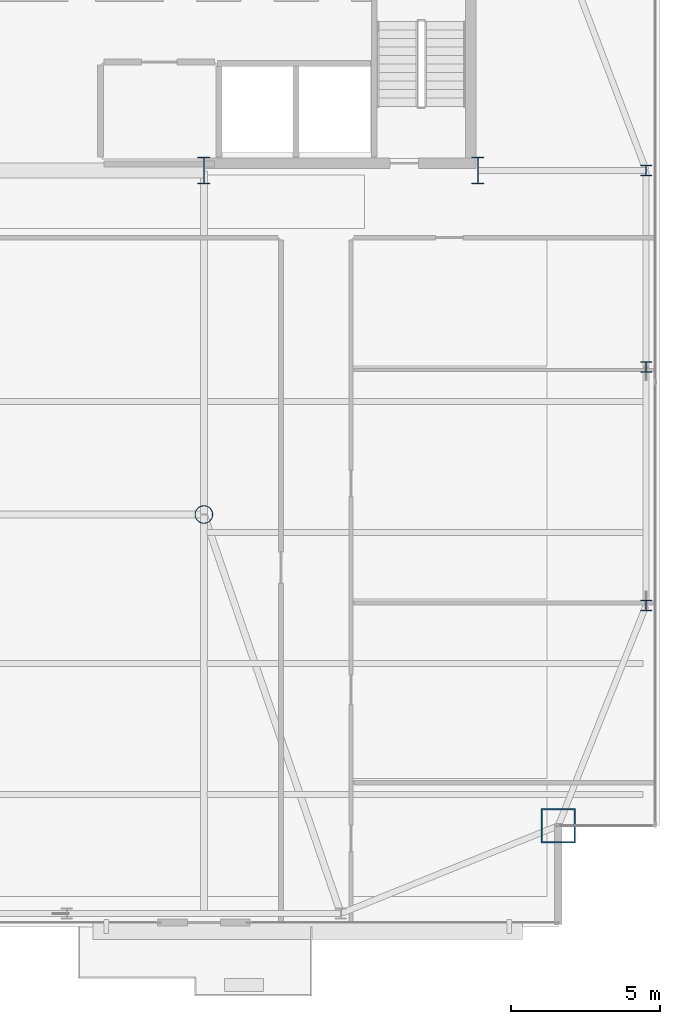
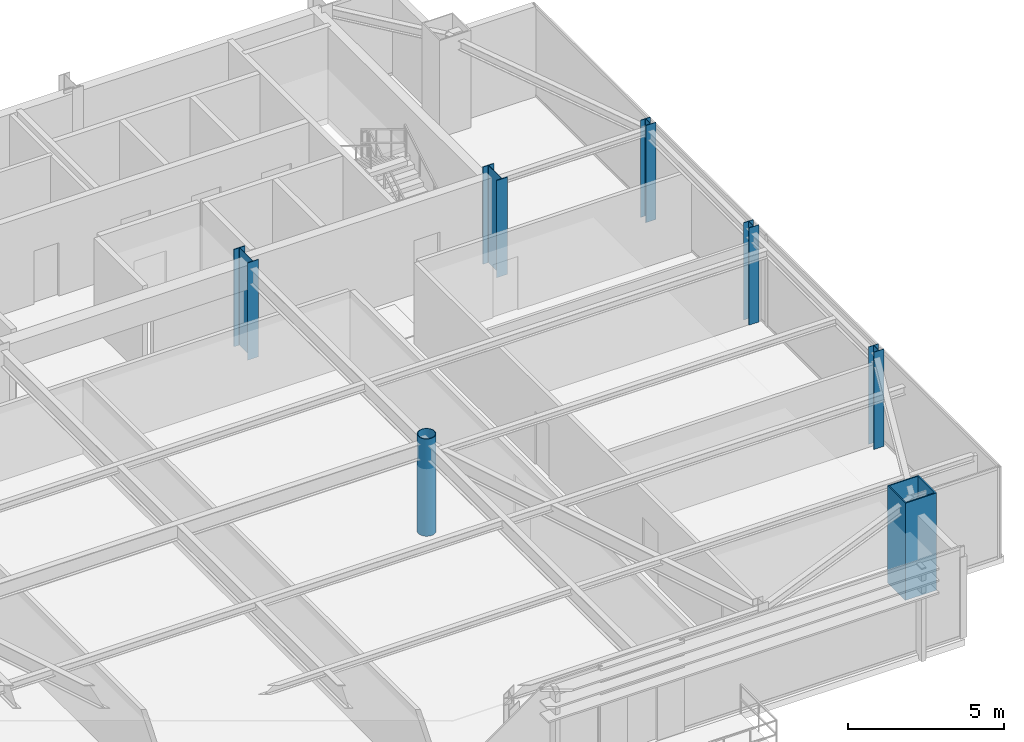
# One storey, part 2 of 30: 7 columns.
"""IFC4 building model written with IfcOpenShell, lengths in metres."""

from ifc_helpers import new_model, si_unit, direction, frame, origin, origin_2d, place, context, subcontext, project, spatial, hollow_rectangle, hollow_circle, i_section, extrude, source, transform, mapped, material, material_profile, profile_set, type_object, type_shapes, element, save


model = new_model("IFC4")

# Units and contexts
model_context = context("Model", 3, precision=1e-05, world=origin(), true_north=direction((0.0, 1.0)))
body_context = subcontext(model_context, "Body", "Model", "MODEL_VIEW")
ifc_project = project(units=[si_unit("LENGTHUNIT", "METRE"), si_unit("AREAUNIT", "SQUARE_METRE"), si_unit("VOLUMEUNIT", "CUBIC_METRE"), si_unit("PLANEANGLEUNIT", "RADIAN"), si_unit("MASSUNIT", "GRAM", prefix="KILO")], contexts=[model_context])

# Site, building, storey
site_placement = place(None, origin())
site = spatial("IfcSite", under=ifc_project, at=site_placement, CompositionType="ELEMENT")
building_placement = place(site_placement, origin())
building = spatial("IfcBuilding", under=site, at=building_placement, Name="Varnel Quay Broadcast Tower", CompositionType="ELEMENT")
storey_placement = place(building_placement, frame((0.0, 0.0, 211.199951171875)))
storey = spatial("IfcBuildingStorey", under=building, at=storey_placement, Name="L52", CompositionType="ELEMENT", Elevation=211.199951171875)

# Columns
ifc_material_1 = material(Name="Structural Steel CSA G40.21 350WT", Category="steel")
ifc_material_profile_1 = material_profile(ifc_material_1, i_section(OverallWidth=0.39990234375, OverallDepth=0.89990234375, WebThickness=0.01611328125, FlangeThickness=0.028076171875, FilletRadius=0.01611328125, at=origin_2d()), Name="WWF900X309")
ifc_profile_set_1 = profile_set([ifc_material_profile_1], Name="Structural Steel CSA G40.21 350WT")
column_type_1 = type_object("IfcColumnType", Name="Col_WWF900X309", PredefinedType="COLUMN", material=ifc_profile_set_1)
shared_shape_1 = source(origin(), body_context, "Body", "SweptSolid", [
    extrude(i_section(OverallWidth=0.39990234375, OverallDepth=0.89990234375, WebThickness=0.01611328125, FlangeThickness=0.028076171875, FilletRadius=0.01611328125, at=origin_2d()), origin(), (0.0, 0.0, 1.0), 3.800048828125),
])
type_shapes(column_type_1, [shared_shape_1])
for number, where, z_axis, x_axis, name in (
    (1, (43.199951171875, 35.60009765625, 0.0), (0.0, 0.0, 1.0), (1.0, 0.0, 0.0), "L52 Column CC-S4"),
    (2, (52.39990234375, 35.60009765625, 0.0), (0.0, 0.0, 1.0), (1.0, 0.0, 0.0), "L52 Column CC-S5"),
):
    element("IfcColumn", number, at=place(storey_placement, frame(where, z_axis=z_axis, x_axis=x_axis)), inside=storey, type_object=column_type_1, Name=name, PredefinedType="COLUMN", context=body_context, shape_type="MappedRepresentation", body=[
        mapped(shared_shape_1, transform((0.0, 0.0, 0.0), x_axis=(1.0, 0.0, 0.0), y_axis=(0.0, 1.0, 0.0), z_axis=(0.0, 0.0, 1.0), scale=1.0)),
    ])
ifc_material_profile_2 = material_profile(ifc_material_1, hollow_rectangle(XDim=1.14990234375, YDim=1.14990234375, WallThickness=0.044921875, at=origin_2d()), Name="BOX1150X1150X45")
ifc_profile_set_2 = profile_set([ifc_material_profile_2], Name="Structural Steel CSA G40.21 350WT")
column_type_2 = type_object("IfcColumnType", Name="Col_BOX1150X1150X45", PredefinedType="COLUMN", material=ifc_profile_set_2)
shared_shape_2 = source(origin(), body_context, "Body", "SweptSolid", [
    extrude(hollow_rectangle(XDim=1.14990234375, YDim=1.14990234375, WallThickness=0.044921875, at=origin_2d()), origin(), (0.0, 0.0, 1.0), 3.800048828125),
])
type_shapes(column_type_2, [shared_shape_2])
column_1_placement = place(storey_placement, frame((55.10009765625, 13.60009765625, 0.0), z_axis=(0.0, 0.0, 1.0), x_axis=(1.0, 0.0, 0.0)))
element("IfcColumn", 3, at=column_1_placement, inside=storey, type_object=column_type_2, Name="L52 Column MC-SE", PredefinedType="COLUMN", context=body_context, shape_type="MappedRepresentation", body=[
    mapped(shared_shape_2, transform((0.0, 0.0, 0.0), x_axis=(1.0, 0.0, 0.0), y_axis=(0.0, 1.0, 0.0), z_axis=(0.0, 0.0, 1.0), scale=1.0)),
])
ifc_material_2 = material(Name="Structural Steel CSA G40.21 350W", Category="steel")
ifc_material_profile_3 = material_profile(ifc_material_2, i_section(OverallWidth=0.368896484375, OverallDepth=0.35595703125, WebThickness=0.01123046875, FlangeThickness=0.01806640625, FilletRadius=0.01611328125, at=origin_2d()), Name="W360X134")
ifc_profile_set_3 = profile_set([ifc_material_profile_3], Name="Structural Steel CSA G40.21 350W")
column_type_3 = type_object("IfcColumnType", Name="Col_W360X134", PredefinedType="COLUMN", material=ifc_profile_set_3)
shared_shape_3 = source(origin(), body_context, "Body", "SweptSolid", [
    extrude(i_section(OverallWidth=0.368896484375, OverallDepth=0.35595703125, WebThickness=0.01123046875, FlangeThickness=0.01806640625, FilletRadius=0.01611328125, at=origin_2d()), origin(), (0.0, 0.0, 1.0), 3.800048828125),
])
type_shapes(column_type_3, [shared_shape_3])
for number, where, z_axis, x_axis, name in (
    (4, (58.050048828125, 21.0, 0.0), (0.0, 0.0, 1.0), (1.0, 0.0, 0.0), "L52 Column TC-E1"),
    (5, (58.050048828125, 29.0, 0.0), (0.0, 0.0, 1.0), (1.0, 0.0, 0.0), "L52 Column TC-E2"),
    (6, (58.050048828125, 35.60009765625, 0.0), (0.0, 0.0, 1.0), (1.0, 0.0, 0.0), "L52 Column TC-E3"),
):
    element("IfcColumn", number, at=place(storey_placement, frame(where, z_axis=z_axis, x_axis=x_axis)), inside=storey, type_object=column_type_3, Name=name, PredefinedType="COLUMN", context=body_context, shape_type="MappedRepresentation", body=[
        mapped(shared_shape_3, transform((0.0, 0.0, 0.0), x_axis=(1.0, 0.0, 0.0), y_axis=(0.0, 1.0, 0.0), z_axis=(0.0, 0.0, 1.0), scale=1.0)),
    ])
ifc_material_profile_4 = material_profile(ifc_material_2, hollow_circle(Radius=0.304931640625, WallThickness=0.02490234375, at=origin_2d()), Name="CHS610X25")
ifc_profile_set_4 = profile_set([ifc_material_profile_4], Name="Structural Steel CSA G40.21 350W")
column_type_4 = type_object("IfcColumnType", Name="Col_CHS610X25", PredefinedType="COLUMN", material=ifc_profile_set_4)
shared_shape_4 = source(origin(), body_context, "Body", "SweptSolid", [
    extrude(hollow_circle(Radius=0.304931640625, WallThickness=0.02490234375, at=origin_2d()), origin(), (0.0, 0.0, 1.0), 3.800048828125),
])
type_shapes(column_type_4, [shared_shape_4])
column_2_placement = place(storey_placement, frame((43.199951171875, 24.050048828125, 0.0), z_axis=(0.0, 0.0, 1.0), x_axis=(1.0, 0.0, 0.0)))
element("IfcColumn", 7, at=column_2_placement, inside=storey, type_object=column_type_4, Name="L52 Column IC-02", PredefinedType="COLUMN", context=body_context, shape_type="MappedRepresentation", body=[
    mapped(shared_shape_4, transform((0.0, 0.0, 0.0), x_axis=(1.0, 0.0, 0.0), y_axis=(0.0, 1.0, 0.0), z_axis=(0.0, 0.0, 1.0), scale=1.0)),
])

save(model, "model.ifc")
